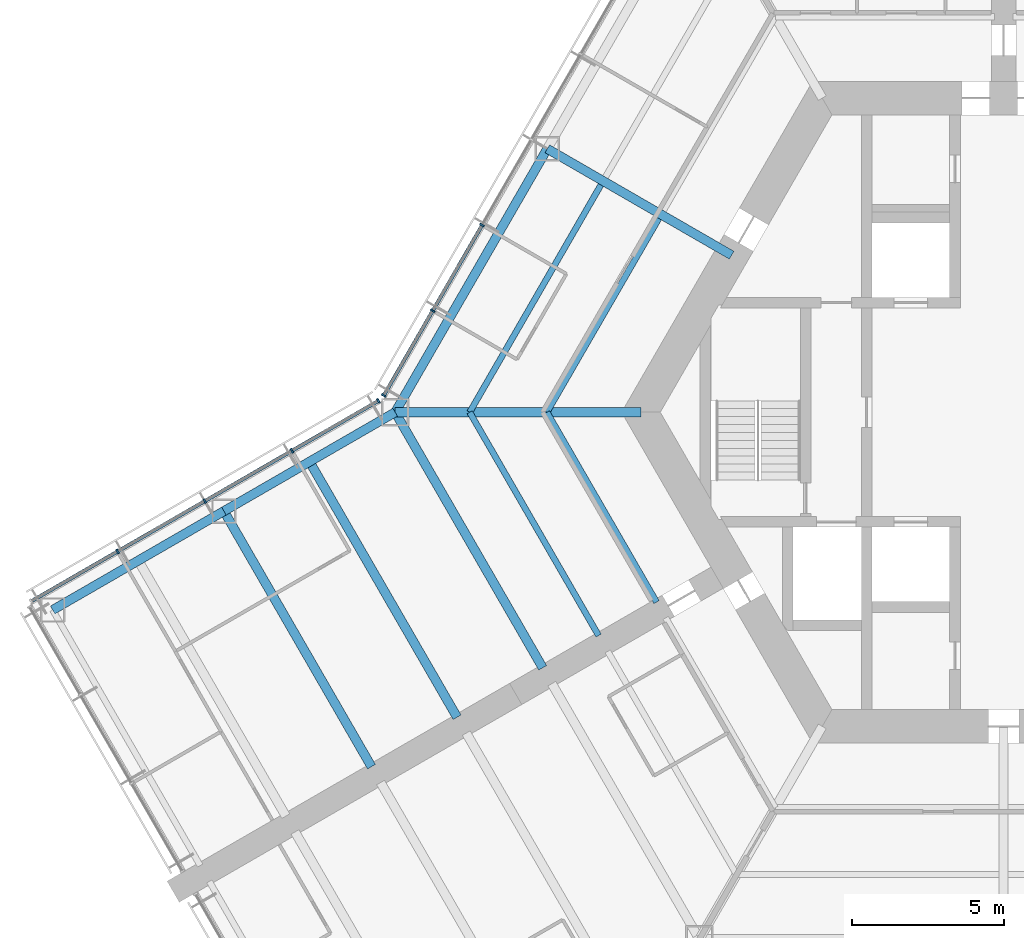
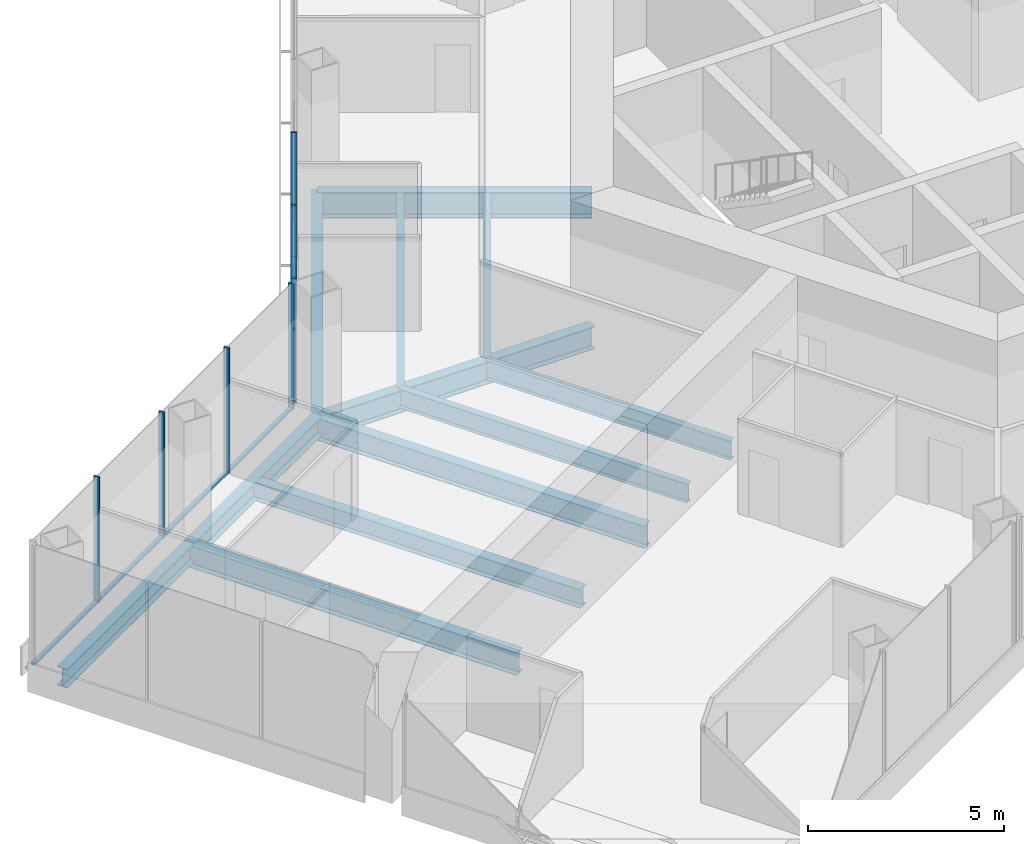
# One storey, part 4 of 18: 13 members, 12 beams, 2 elements without a shape of their own.
"""IFC4 building model written with IfcOpenShell, lengths in metres."""

from ifc_helpers import new_model, si_unit, direction, frame, origin, origin_2d, place, context, subcontext, project, spatial, rectangle, i_section, extrude, material, material_profile, profile_set, type_object, element, aggregate, save


model = new_model("IFC4")

# Units and contexts
model_context = context("Model", 3, precision=1e-05, world=origin(), true_north=direction((0.0, 1.0)))
body_context = subcontext(model_context, "Body", "Model", "MODEL_VIEW")
ifc_project = project(units=[si_unit("LENGTHUNIT", "METRE"), si_unit("AREAUNIT", "SQUARE_METRE"), si_unit("VOLUMEUNIT", "CUBIC_METRE"), si_unit("PLANEANGLEUNIT", "RADIAN"), si_unit("MASSUNIT", "GRAM", prefix="KILO")], contexts=[model_context])

# Site, building, storey
site_placement = place(None, origin())
site = spatial("IfcSite", under=ifc_project, at=site_placement, CompositionType="ELEMENT")
building_placement = place(site_placement, origin())
building = spatial("IfcBuilding", under=site, at=building_placement, Name="Kasaneha Research Tower", CompositionType="ELEMENT")
storey_placement = place(building_placement, frame((0.0, 0.0, 111.89990234375)))
storey = spatial("IfcBuildingStorey", under=building, at=storey_placement, Name="L28", CompositionType="ELEMENT", Elevation=111.89990234375)

# Beams
ifc_material_1 = material(Name="Steel SN490B", Category="steel")
ifc_material_profile_1 = material_profile(ifc_material_1, i_section(OverallWidth=0.199951171875, OverallDepth=0.60009765625, WebThickness=0.010986328125, FlangeThickness=0.01708984375, FilletRadius=0.012939453125, at=origin_2d()), Name="H-600x200x11x17")
ifc_profile_set_1 = profile_set([ifc_material_profile_1], Name="Steel SN490B")
beam_type_1 = type_object("IfcBeamType", Name="B1-3 secondary beam H-600x200x11x17", PredefinedType="JOIST", material=ifc_profile_set_1)
beam_1_placement = place(storey_placement, frame((-15.010986328125, 0.0, -0.449951171875), z_axis=(0.499994443168, 0.866028611999, 0.0), x_axis=(-0.866028611999, 0.499994443168, 0.0)))
element("IfcBeam", 1, at=beam_1_placement, inside=storey, type_object=beam_type_1, Name="Secondary beam RS150R1 L28", PredefinedType="JOIST", context=body_context, shape_type="SweptSolid", body=[
    extrude(i_section(OverallWidth=0.199951171875, OverallDepth=0.60009765625, WebThickness=0.010986328125, FlangeThickness=0.01708984375, FilletRadius=0.012939453125, at=origin_2d()), origin(), (0.0, 0.0, 1.0), 7.35546875),
])
beam_2_placement = place(storey_placement, frame((-17.551513671875, 0.0, -0.449951171875), z_axis=(0.5000050195, 0.866022505755, 0.0), x_axis=(-0.866022505755, 0.5000050195, 0.0)))
element("IfcBeam", 2, at=beam_2_placement, inside=storey, type_object=beam_type_1, Name="Secondary beam RS150R2 L28", PredefinedType="JOIST", context=body_context, shape_type="SweptSolid", body=[
    extrude(i_section(OverallWidth=0.199951171875, OverallDepth=0.60009765625, WebThickness=0.010986328125, FlangeThickness=0.01708984375, FilletRadius=0.012939453125, at=origin_2d()), origin(), (0.0, 0.0, 1.0), 8.6259765625),
])
beam_3_placement = place(storey_placement, frame((-15.010986328125, 0.0, -0.449951171875), z_axis=(0.499972735707, -0.866041144259, 0.0), x_axis=(0.866041144259, 0.499972735707, 0.0)))
element("IfcBeam", 3, at=beam_3_placement, inside=storey, type_object=beam_type_1, Name="Secondary beam RS210L1 L28", PredefinedType="JOIST", context=body_context, shape_type="SweptSolid", body=[
    extrude(i_section(OverallWidth=0.199951171875, OverallDepth=0.60009765625, WebThickness=0.010986328125, FlangeThickness=0.01708984375, FilletRadius=0.012939453125, at=origin_2d()), origin(), (0.0, 0.0, 1.0), 7.20556640625),
])
beam_4_placement = place(storey_placement, frame((-17.551513671875, 0.0, -0.449951171875), z_axis=(0.500020829043, -0.866013377797, 0.0), x_axis=(0.866013377797, 0.500020829043, 0.0)))
element("IfcBeam", 4, at=beam_4_placement, inside=storey, type_object=beam_type_1, Name="Secondary beam RS210L2 L28", PredefinedType="JOIST", context=body_context, shape_type="SweptSolid", body=[
    extrude(i_section(OverallWidth=0.199951171875, OverallDepth=0.60009765625, WebThickness=0.010986328125, FlangeThickness=0.01708984375, FilletRadius=0.012939453125, at=origin_2d()), origin(), (0.0, 0.0, 1.0), 8.475830078125),
])
ifc_material_2 = material(Name="Steel SN490B", Category="steel")
ifc_material_profile_2 = material_profile(ifc_material_2, i_section(OverallWidth=0.300048828125, OverallDepth=0.58203125, WebThickness=0.011962890625, FlangeThickness=0.01708984375, FilletRadius=0.012939453125, at=origin_2d()), Name="H-582x300x12x17")
ifc_profile_set_2 = profile_set([ifc_material_profile_2], Name="Steel SN490B")
beam_type_2 = type_object("IfcBeamType", Name="B2-3 secondary beam H-582x300x12x17", PredefinedType="JOIST", material=ifc_profile_set_2)
beam_5_placement = place(storey_placement, frame((-22.814697265625, -1.625, -0.44091796875), z_axis=(0.500010041276, -0.866019606374, 0.0), x_axis=(0.866019606374, 0.500010041276, 0.0)))
element("IfcBeam", 5, at=beam_5_placement, inside=storey, type_object=beam_type_2, Name="Secondary beam WBBP1 L28", PredefinedType="JOIST", context=body_context, shape_type="SweptSolid", body=[
    extrude(i_section(OverallWidth=0.300048828125, OverallDepth=0.58203125, WebThickness=0.011962890625, FlangeThickness=0.01708984375, FilletRadius=0.012939453125, at=origin_2d()), origin(), (0.0, 0.0, 1.0), 9.699951171875),
])

# Curtain wall, members
ifc_material_3 = material(Name="Glass and aluminium", Category="aluminium")
curtain_wall_type = type_object("IfcCurtainWallType", Name="Low-rise office curtain wall", PredefinedType="USERDEFINED", material=ifc_material_3)
curtain_wall_1_placement = place(storey_placement, origin())
curtain_wall_1 = element("IfcCurtainWall", 6, at=curtain_wall_1_placement, inside=storey, type_object=curtain_wall_type, Name="CW-O1 L28 run 12a", ObjectType="UNITISED CURTAIN WALL", PredefinedType="USERDEFINED")
ifc_material_4 = material(Name="Aluminium 6063-T6", Category="aluminium")
ifc_material_profile_3 = material_profile(ifc_material_4, rectangle(XDim=0.06005859375, YDim=0.159912109375, at=origin_2d()), Name="CW-O1 mullion 60x160")
ifc_profile_set_3 = profile_set([ifc_material_profile_3], Name="Aluminium 6063-T6")
member_type_1 = type_object("IfcMemberType", Name="CW-O1 mullion", PredefinedType="MULLION", material=ifc_profile_set_3)
member_1_placement = place(storey_placement, frame((-17.142822265625, 6.148681640625, 0.0), z_axis=(0.0, 0.0, 1.0), x_axis=(-0.49999996188, -0.866025425793, 0.0)))
member_1 = element("IfcMember", 7, at=member_1_placement, type_object=member_type_1, Name="CW-O1 mullion 5", PredefinedType="MULLION", context=body_context, shape_type="SweptSolid", body=[
    extrude(rectangle(XDim=0.06005859375, YDim=0.159912109375, at=origin_2d()), origin(), (0.0, 0.0, 1.0), 3.900146484375),
])
member_2_placement = place(storey_placement, frame((-18.76611328125, 3.33740234375, 0.0), z_axis=(0.0, 0.0, 1.0), x_axis=(-0.49999996188, -0.866025425793, 0.0)))
member_2 = element("IfcMember", 8, at=member_2_placement, type_object=member_type_1, Name="CW-O1 mullion 6", PredefinedType="MULLION", context=body_context, shape_type="SweptSolid", body=[
    extrude(rectangle(XDim=0.06005859375, YDim=0.159912109375, at=origin_2d()), origin(), (0.0, 0.0, 1.0), 3.900146484375),
])
member_3_placement = place(storey_placement, frame((-20.374267578125, 0.5517578125, 0.0), z_axis=(0.0, 0.0, 1.0), x_axis=(-0.49999996188, -0.866025425793, 0.0)))
member_3 = element("IfcMember", 9, at=member_3_placement, type_object=member_type_1, Name="CW-O1 mullion 7", PredefinedType="MULLION", context=body_context, shape_type="SweptSolid", body=[
    extrude(rectangle(XDim=0.06005859375, YDim=0.159912109375, at=origin_2d()), origin(), (0.0, 0.0, 1.0), 3.900146484375),
])

curtain_wall_2_placement = place(storey_placement, origin())
curtain_wall_2 = element("IfcCurtainWall", 10, at=curtain_wall_2_placement, inside=storey, type_object=curtain_wall_type, Name="CW-O1 L28 run 13a", ObjectType="UNITISED CURTAIN WALL", PredefinedType="USERDEFINED")
member_4_placement = place(storey_placement, frame((-20.5517578125, 0.374267578125, 0.0), z_axis=(0.0, 0.0, 1.0), x_axis=(-0.866025411464, -0.499999986699, 0.0)))
member_4 = element("IfcMember", 11, at=member_4_placement, type_object=member_type_1, Name="CW-O1 mullion 1", PredefinedType="MULLION", context=body_context, shape_type="SweptSolid", body=[
    extrude(rectangle(XDim=0.06005859375, YDim=0.159912109375, at=origin_2d()), origin(), (0.0, 0.0, 1.0), 3.900146484375),
])
member_5_placement = place(storey_placement, frame((-23.39208984375, -1.265625, 0.0), z_axis=(0.0, 0.0, 1.0), x_axis=(-0.866025411464, -0.499999986699, 0.0)))
member_5 = element("IfcMember", 12, at=member_5_placement, type_object=member_type_1, Name="CW-O1 mullion 2", PredefinedType="MULLION", context=body_context, shape_type="SweptSolid", body=[
    extrude(rectangle(XDim=0.06005859375, YDim=0.159912109375, at=origin_2d()), origin(), (0.0, 0.0, 1.0), 3.900146484375),
])
member_6_placement = place(storey_placement, frame((-26.258544921875, -2.920654296875, 0.0), z_axis=(0.0, 0.0, 1.0), x_axis=(-0.866025411464, -0.499999986699, 0.0)))
member_6 = element("IfcMember", 13, at=member_6_placement, type_object=member_type_1, Name="CW-O1 mullion 3", PredefinedType="MULLION", context=body_context, shape_type="SweptSolid", body=[
    extrude(rectangle(XDim=0.06005859375, YDim=0.159912109375, at=origin_2d()), origin(), (0.0, 0.0, 1.0), 3.900146484375),
])
member_7_placement = place(storey_placement, frame((-29.125, -4.575439453125, 0.0), z_axis=(0.0, 0.0, 1.0), x_axis=(-0.866025411464, -0.499999986699, 0.0)))
member_7 = element("IfcMember", 14, at=member_7_placement, type_object=member_type_1, Name="CW-O1 mullion 4", PredefinedType="MULLION", context=body_context, shape_type="SweptSolid", body=[
    extrude(rectangle(XDim=0.06005859375, YDim=0.159912109375, at=origin_2d()), origin(), (0.0, 0.0, 1.0), 3.900146484375),
])

# Member
ifc_material_5 = material(Name="Aluminium 6063-T6", Category="aluminium")
ifc_material_profile_4 = material_profile(ifc_material_5, rectangle(XDim=0.1201171875, YDim=0.06005859375, at=origin_2d()), Name="CW-O1 transom 120x60")
ifc_profile_set_4 = profile_set([ifc_material_profile_4], Name="Aluminium 6063-T6")
member_type_2 = type_object("IfcMemberType", Name="CW-O1 transom", PredefinedType="USERDEFINED", material=ifc_profile_set_4)
member_8_placement = place(storey_placement, frame((-17.15771484375, 6.122802734375, 0.030029296875), z_axis=(-0.500012062035, -0.866018439653, 0.0), x_axis=(0.866018439653, -0.500012062035, 0.0)))
member_8 = element("IfcMember", 15, at=member_8_placement, type_object=member_type_2, Name="CW-O1 transom 5", ObjectType="TRANSOM", PredefinedType="USERDEFINED", context=body_context, shape_type="SweptSolid", body=[
    extrude(rectangle(XDim=0.1201171875, YDim=0.06005859375, at=origin_2d()), origin(), (0.0, 0.0, 1.0), 3.1865234375),
])

member_9_placement = place(storey_placement, frame((-18.781005859375, 3.311279296875, 0.030029296875), z_axis=(-0.499999210213, -0.866025859768, 0.0), x_axis=(0.866025859768, -0.499999210213, 0.0)))
member_9 = element("IfcMember", 16, at=member_9_placement, type_object=member_type_2, Name="CW-O1 transom 6", ObjectType="TRANSOM", PredefinedType="USERDEFINED", context=body_context, shape_type="SweptSolid", body=[
    extrude(rectangle(XDim=0.1201171875, YDim=0.06005859375, at=origin_2d()), origin(), (0.0, 0.0, 1.0), 3.15625),
])

aggregate(curtain_wall_1, [member_1, member_2, member_3, member_8, member_9])

member_10_placement = place(storey_placement, frame((-20.577880859375, 0.359130859375, 0.030029296875), z_axis=(-0.866022692473, -0.500004696101, 0.0), x_axis=(0.500004696101, -0.866022692473, 0.0)))
member_10 = element("IfcMember", 17, at=member_10_placement, type_object=member_type_2, Name="CW-O1 transom 1", ObjectType="TRANSOM", PredefinedType="USERDEFINED", context=body_context, shape_type="SweptSolid", body=[
    extrude(rectangle(XDim=0.1201171875, YDim=0.06005859375, at=origin_2d()), origin(), (0.0, 0.0, 1.0), 3.2197265625),
])

member_11_placement = place(storey_placement, frame((-23.418212890625, -1.28076171875, 0.030029296875), z_axis=(-0.86604797581, -0.499960902066, 0.0), x_axis=(0.499960902066, -0.86604797581, 0.0)))
member_11 = element("IfcMember", 18, at=member_11_placement, type_object=member_type_2, Name="CW-O1 transom 2", ObjectType="TRANSOM", PredefinedType="USERDEFINED", context=body_context, shape_type="SweptSolid", body=[
    extrude(rectangle(XDim=0.1201171875, YDim=0.06005859375, at=origin_2d()), origin(), (0.0, 0.0, 1.0), 3.249755859375),
])

member_12_placement = place(storey_placement, frame((-26.28466796875, -2.935546875, 0.030029296875), z_axis=(-0.86599666273, -0.500049777664, 0.0), x_axis=(0.500049777664, -0.86599666273, 0.0)))
member_12 = element("IfcMember", 19, at=member_12_placement, type_object=member_type_2, Name="CW-O1 transom 3", ObjectType="TRANSOM", PredefinedType="USERDEFINED", context=body_context, shape_type="SweptSolid", body=[
    extrude(rectangle(XDim=0.1201171875, YDim=0.06005859375, at=origin_2d()), origin(), (0.0, 0.0, 1.0), 3.249755859375),
])

member_13_placement = place(storey_placement, frame((-29.15087890625, -4.590576171875, 0.030029296875), z_axis=(-0.866041647767, -0.499971863542, 0.0), x_axis=(0.499971863542, -0.866041647767, 0.0)))
member_13 = element("IfcMember", 20, at=member_13_placement, type_object=member_type_2, Name="CW-O1 transom 4", ObjectType="TRANSOM", PredefinedType="USERDEFINED", context=body_context, shape_type="SweptSolid", body=[
    extrude(rectangle(XDim=0.1201171875, YDim=0.06005859375, at=origin_2d()), origin(), (0.0, 0.0, 1.0), 3.219970703125),
])

aggregate(curtain_wall_2, [member_4, member_5, member_6, member_7, member_10, member_11, member_12, member_13])

# Beams
ifc_material_6 = material(Name="Steel SN490B", Category="steel")
ifc_material_profile_5 = material_profile(ifc_material_6, i_section(OverallWidth=0.300048828125, OverallDepth=0.699951171875, WebThickness=0.012939453125, FlangeThickness=0.02392578125, FilletRadius=0.01806640625, at=origin_2d()), Name="H-700x300x13x24")
ifc_profile_set_5 = profile_set([ifc_material_profile_5], Name="Steel SN490B")
beam_type_3 = type_object("IfcBeamType", Name="G1-3 radial girder H-700x300x13x24", PredefinedType="BEAM", material=ifc_profile_set_5)
beam_6_placement = place(storey_placement, frame((-11.92236328125, 0.0, -0.5), z_axis=(-1.0, 0.0, 0.0), x_axis=(0.0, -1.0, 0.0)))
element("IfcBeam", 21, at=beam_6_placement, inside=storey, type_object=beam_type_3, Name="Radial girder RV180 L28", PredefinedType="BEAM", context=body_context, shape_type="SweptSolid", body=[
    extrude(i_section(OverallWidth=0.300048828125, OverallDepth=0.699951171875, WebThickness=0.012939453125, FlangeThickness=0.02392578125, FilletRadius=0.01806640625, at=origin_2d()), origin(), (0.0, 0.0, 1.0), 8.07763671875),
])
ifc_material_7 = material(Name="Steel SN490B", Category="steel")
ifc_material_profile_6 = material_profile(ifc_material_7, i_section(OverallWidth=0.300048828125, OverallDepth=0.800048828125, WebThickness=0.013916015625, FlangeThickness=0.02587890625, FilletRadius=0.01806640625, at=origin_2d()), Name="H-800x300x14x26")
ifc_profile_set_6 = profile_set([ifc_material_profile_6], Name="Steel SN490B")
beam_type_4 = type_object("IfcBeamType", Name="G2-3 radial girder H-800x300x14x26", PredefinedType="BEAM", material=ifc_profile_set_6)
beam_7_placement = place(storey_placement, frame((-8.941650390625, 5.16259765625, -0.5498046875), z_axis=(-0.866039713508, 0.499975214012, 0.0), x_axis=(-0.499975214012, -0.866039713508, 0.0)))
element("IfcBeam", 22, at=beam_7_placement, inside=storey, type_object=beam_type_4, Name="Radial girder RM150 L28", PredefinedType="BEAM", context=body_context, shape_type="SweptSolid", body=[
    extrude(i_section(OverallWidth=0.300048828125, OverallDepth=0.800048828125, WebThickness=0.013916015625, FlangeThickness=0.02587890625, FilletRadius=0.01806640625, at=origin_2d()), origin(), (0.0, 0.0, 1.0), 6.995361328125),
])
ifc_material_8 = material(Name="Steel SN490B", Category="steel")
ifc_material_profile_7 = material_profile(ifc_material_8, i_section(OverallWidth=0.300048828125, OverallDepth=0.69189453125, WebThickness=0.012939453125, FlangeThickness=0.02001953125, FilletRadius=0.01806640625, at=origin_2d()), Name="H-692x300x13x20")
ifc_profile_set_7 = profile_set([ifc_material_profile_7], Name="Steel SN490B")
beam_type_5 = type_object("IfcBeamType", Name="G3-3 plate edge girder H-692x300x13x20", PredefinedType="BEAM", material=ifc_profile_set_7)
beam_8_placement = place(storey_placement, frame((-20.0, 0.0, -0.495849609375), z_axis=(0.500010041276, -0.866019606374, 0.0), x_axis=(0.866019606374, 0.500010041276, 0.0)))
element("IfcBeam", 23, at=beam_8_placement, inside=storey, type_object=beam_type_5, Name="Plate edge girder PEBP L28", PredefinedType="BEAM", context=body_context, shape_type="SweptSolid", body=[
    extrude(i_section(OverallWidth=0.300048828125, OverallDepth=0.69189453125, WebThickness=0.012939453125, FlangeThickness=0.02001953125, FilletRadius=0.01806640625, at=origin_2d()), origin(), (0.0, 0.0, 1.0), 9.699951171875),
])
ifc_material_9 = material(Name="Steel SN490B", Category="steel")
ifc_material_profile_8 = material_profile(ifc_material_9, i_section(OverallWidth=0.300048828125, OverallDepth=0.699951171875, WebThickness=0.012939453125, FlangeThickness=0.02392578125, FilletRadius=0.01806640625, at=origin_2d()), Name="H-700x300x13x24")
ifc_profile_set_8 = profile_set([ifc_material_profile_8], Name="Steel SN490B")
beam_type_6 = type_object("IfcBeamType", Name="G4-3 wing girder H-700x300x13x24", PredefinedType="BEAM", material=ifc_profile_set_8)
beam_9_placement = place(storey_placement, frame((-25.629150390625, -3.25, -0.5), z_axis=(0.500010041276, -0.866019606374, 0.0), x_axis=(0.866019606374, 0.500010041276, 0.0)))
element("IfcBeam", 24, at=beam_9_placement, inside=storey, type_object=beam_type_6, Name="Wing girder WGBP L28", PredefinedType="BEAM", context=body_context, shape_type="SweptSolid", body=[
    extrude(i_section(OverallWidth=0.300048828125, OverallDepth=0.699951171875, WebThickness=0.012939453125, FlangeThickness=0.02392578125, FilletRadius=0.01806640625, at=origin_2d()), origin(), (0.0, 0.0, 1.0), 9.699951171875),
])
ifc_material_10 = material(Name="Steel SN490B", Category="steel")
ifc_material_profile_9 = material_profile(ifc_material_10, i_section(OverallWidth=0.300048828125, OverallDepth=0.69189453125, WebThickness=0.012939453125, FlangeThickness=0.02001953125, FilletRadius=0.01806640625, at=origin_2d()), Name="H-692x300x13x20")
ifc_profile_set_9 = profile_set([ifc_material_profile_9], Name="Steel SN490B")
beam_type_7 = type_object("IfcBeamType", Name="SB1-3 spandrel beam H-692x300x13x20", PredefinedType="SPANDREL", material=ifc_profile_set_9)
beam_10_placement = place(storey_placement, frame((-20.0, 0.0, -0.495849609375), z_axis=(0.500004234368, 0.866022959057, 0.0), x_axis=(-0.866022959057, 0.500004234368, 0.0)))
element("IfcBeam", 25, at=beam_10_placement, inside=storey, type_object=beam_type_7, Name="Spandrel beam SR150R L28", PredefinedType="SPANDREL", context=body_context, shape_type="SweptSolid", body=[
    extrude(i_section(OverallWidth=0.300048828125, OverallDepth=0.69189453125, WebThickness=0.012939453125, FlangeThickness=0.02001953125, FilletRadius=0.01806640625, at=origin_2d()), origin(), (0.0, 0.0, 1.0), 10.0),
])
ifc_material_11 = material(Name="Steel SN490B", Category="steel")
ifc_material_profile_10 = material_profile(ifc_material_11, i_section(OverallWidth=0.300048828125, OverallDepth=0.58203125, WebThickness=0.011962890625, FlangeThickness=0.01708984375, FilletRadius=0.012939453125, at=origin_2d()), Name="H-582x300x12x17")
ifc_profile_set_10 = profile_set([ifc_material_profile_10], Name="Steel SN490B")
beam_type_8 = type_object("IfcBeamType", Name="SB2-3 spandrel beam H-582x300x12x17", PredefinedType="SPANDREL", material=ifc_profile_set_10)
for number, where, z_axis, x_axis, name in (
    (26, (-20.0, 0.0, -0.44091796875), (-0.866024837091, -0.50000098154, 0.0), (0.50000098154, -0.866024837091, 0.0), "Spandrel beam WSBP1 L28"),
    (27, (-25.629150390625, -3.25, -0.44091796875), (-0.866024837091, -0.50000098154, 0.0), (0.50000098154, -0.866024837091, 0.0), "Spandrel beam WSBP2 L28"),
):
    element("IfcBeam", number, at=place(storey_placement, frame(where, z_axis=z_axis, x_axis=x_axis)), inside=storey, type_object=beam_type_8, Name=name, PredefinedType="SPANDREL", context=body_context, shape_type="SweptSolid", body=[
        extrude(i_section(OverallWidth=0.300048828125, OverallDepth=0.58203125, WebThickness=0.011962890625, FlangeThickness=0.01708984375, FilletRadius=0.012939453125, at=origin_2d()), origin(), (0.0, 0.0, 1.0), 6.5),
    ])

save(model, "model.ifc")
